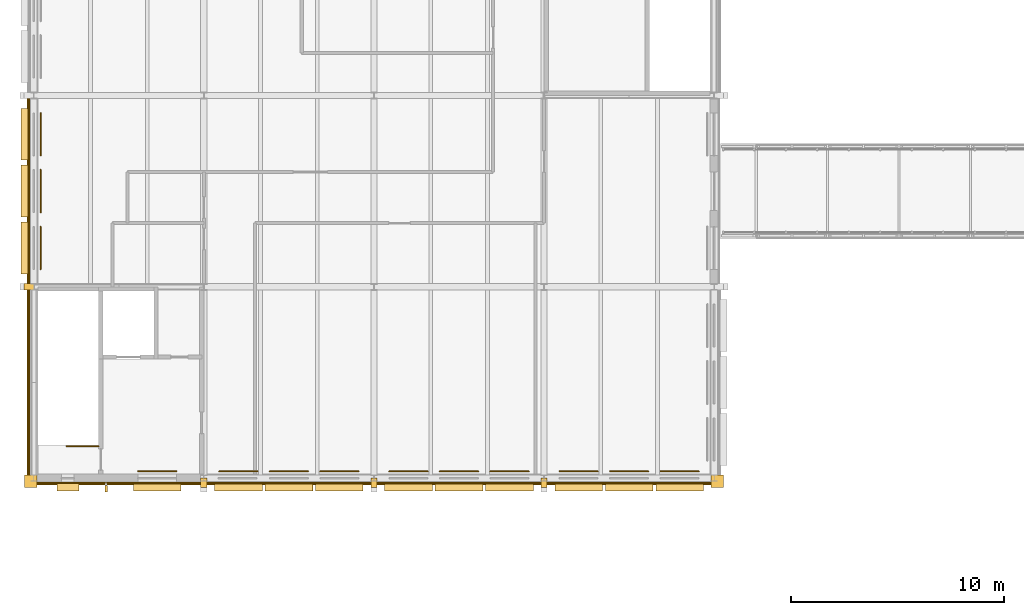
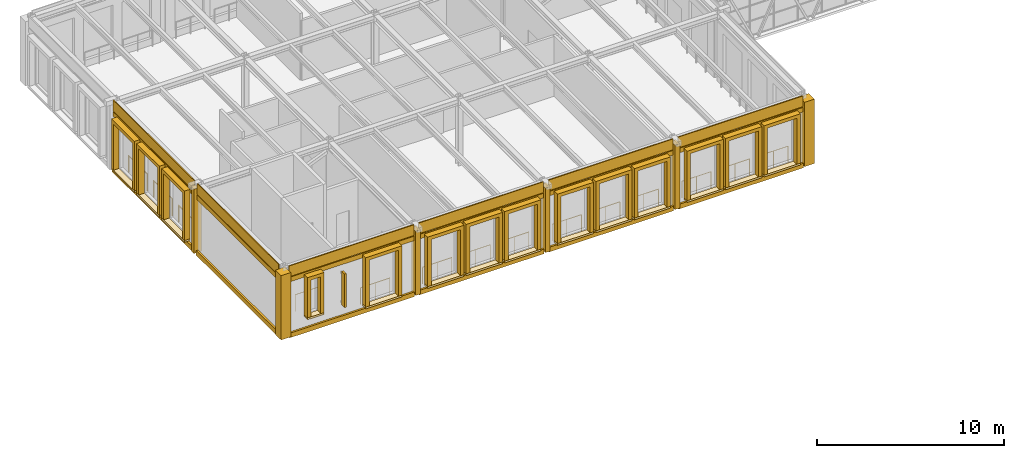
# One storey, part 135 of 149: 52 coverings, 14 railings, 1 shading device.
"""IFC4 building model written with IfcOpenShell, lengths in metres."""

from ifc_helpers import new_model, si_unit, direction, frame, origin, origin_2d, place, context, subcontext, project, spatial, polyline, rectangle, circle, outline, extrude, material, layer, layer_set, type_object, element, save


model = new_model("IFC4")

# Units and contexts
model_context = context("Model", 3, precision=1e-05, world=origin(), true_north=direction((0.0, 1.0)))
body_context = subcontext(model_context, "Body", "Model", "MODEL_VIEW")
ifc_project = project(units=[si_unit("LENGTHUNIT", "METRE"), si_unit("AREAUNIT", "SQUARE_METRE"), si_unit("VOLUMEUNIT", "CUBIC_METRE"), si_unit("PLANEANGLEUNIT", "RADIAN"), si_unit("MASSUNIT", "GRAM", prefix="KILO")], contexts=[model_context])

# Site, building, storey
site_placement = place(None, origin())
site = spatial("IfcSite", under=ifc_project, at=site_placement, CompositionType="ELEMENT")
building_placement = place(site_placement, origin())
building = spatial("IfcBuilding", under=site, at=building_placement, Name="Kallimachos Central Library", CompositionType="ELEMENT")
storey_placement = place(building_placement, frame((0.0, 0.0, 9.89990234375)))
storey = spatial("IfcBuildingStorey", under=building, at=storey_placement, Name="L02", CompositionType="ELEMENT", Elevation=9.89990234375)

# Coverings
ifc_material_1 = material(Name="Pentelic marble window sill", Category="masonry")
ifc_layer_1 = layer(ifc_material_1, 0.35009765625)
ifc_layer_set_1 = layer_set([ifc_layer_1], Name="Attic window sill block 350")
covering_type_1 = type_object("IfcCoveringType", Name="Attic window sill block 350", PredefinedType="MOLDING", material=ifc_layer_set_1)
covering_1_placement = place(storey_placement, frame((7.60009765625, 86.56494140625, 0.880126953125), z_axis=(0.0, 0.0, 1.0), x_axis=(1.0, 0.0, 0.0)))
element("IfcCovering", 1, at=covering_1_placement, inside=storey, type_object=covering_type_1, Name="Attic window sill block", PredefinedType="MOLDING", context=body_context, shape_type="SweptSolid", body=[
    extrude(rectangle(XDim=1.0400390625, YDim=0.35009765625, at=origin_2d()), origin(), (0.0, 0.0, 1.0), 0.1201171875),
])
for number, where, z_axis, x_axis, name in (
    (2, (11.800048828125, 86.56494140625, 0.330078125), (0.0, 0.0, 1.0), (1.0, 0.0, 0.0), "Attic window sill block"),
    (3, (15.625, 86.56494140625, 0.330078125), (0.0, 0.0, 1.0), (1.0, 0.0, 0.0), "Attic window sill block"),
    (4, (18.0, 86.56494140625, 0.330078125), (0.0, 0.0, 1.0), (1.0, 0.0, 0.0), "Attic window sill block"),
    (5, (20.375, 86.56494140625, 0.330078125), (0.0, 0.0, 1.0), (1.0, 0.0, 0.0), "Attic window sill block"),
    (6, (23.625, 86.56494140625, 0.330078125), (0.0, 0.0, 1.0), (1.0, 0.0, 0.0), "Attic window sill block"),
    (7, (26.0, 86.56494140625, 0.330078125), (0.0, 0.0, 1.0), (1.0, 0.0, 0.0), "Attic window sill block"),
    (8, (28.375, 86.56494140625, 0.330078125), (0.0, 0.0, 1.0), (1.0, 0.0, 0.0), "Attic window sill block"),
    (9, (31.625, 86.56494140625, 0.330078125), (0.0, 0.0, 1.0), (1.0, 0.0, 0.0), "Attic window sill block"),
    (10, (34.0, 86.56494140625, 0.330078125), (0.0, 0.0, 1.0), (1.0, 0.0, 0.0), "Attic window sill block"),
    (11, (36.375, 86.56494140625, 0.330078125), (0.0, 0.0, 1.0), (1.0, 0.0, 0.0), "Attic window sill block"),
):
    element("IfcCovering", number, at=place(storey_placement, frame(where, z_axis=z_axis, x_axis=x_axis)), inside=storey, type_object=covering_type_1, Name=name, PredefinedType="MOLDING", context=body_context, shape_type="SweptSolid", body=[
        extrude(rectangle(XDim=2.239990234375, YDim=0.35009765625, at=origin_2d()), origin(), (0.0, 0.0, 1.0), 0.1201171875),
    ])
for number, where, z_axis, x_axis, name in (
    (12, (5.56494140625, 97.824951171875, 0.330078125), (0.0, 0.0, 1.0), (1.0, 0.0, 0.0), "Attic window sill block"),
    (13, (5.56494140625, 100.5, 0.330078125), (0.0, 0.0, 1.0), (1.0, 0.0, 0.0), "Attic window sill block"),
    (14, (5.56494140625, 103.175048828125, 0.330078125), (0.0, 0.0, 1.0), (1.0, 0.0, 0.0), "Attic window sill block"),
):
    element("IfcCovering", number, at=place(storey_placement, frame(where, z_axis=z_axis, x_axis=x_axis)), inside=storey, type_object=covering_type_1, Name=name, PredefinedType="MOLDING", context=body_context, shape_type="SweptSolid", body=[
        extrude(rectangle(XDim=0.35009765625, YDim=2.43994140625, at=origin_2d()), origin(), (0.0, 0.0, 1.0), 0.1201171875),
    ])
ifc_material_2 = material(Name="Pentelic marble window surround", Category="masonry")
ifc_layer_2 = layer(ifc_material_2, 0.35009765625)
ifc_layer_set_2 = layer_set([ifc_layer_2], Name="Attic window surround 350")
covering_type_2 = type_object("IfcCoveringType", Name="Attic window surround 350", PredefinedType="MOLDING", material=ifc_layer_set_2)
covering_2_placement = place(storey_placement, frame((7.300048828125, 86.389892578125, 1.0), z_axis=(0.0, -1.0, 0.0), x_axis=(0.0, 0.0, 1.0)))
element("IfcCovering", 15, at=covering_2_placement, inside=storey, type_object=covering_type_2, Name="Attic window surround -WIN-L02-001", PredefinedType="MOLDING", context=body_context, shape_type="SweptSolid", body=[
    extrude(outline(polyline([(0.0, 0.0), (2.400146484375, 0.0), (2.400146484375, -0.599853515625), (0.0, -0.599853515625), (0.0, -0.820068359375), (2.6201171875, -0.820068359375), (2.6201171875, 0.219970703125), (0.0, 0.219970703125), (0.0, 0.0)])), origin(), (0.0, 0.0, -1.0), 0.35009765625),
])
covering_3_placement = place(storey_placement, frame((10.89990234375, 86.389892578125, 0.4501953125), z_axis=(0.0, -1.0, 0.0), x_axis=(0.0, 0.0, 1.0)))
element("IfcCovering", 16, at=covering_3_placement, inside=storey, type_object=covering_type_2, Name="Attic window surround -WIN-L02-002", PredefinedType="MOLDING", context=body_context, shape_type="SweptSolid", body=[
    extrude(outline(polyline([(0.0, 0.0), (3.0, 0.0), (3.0, -1.800048828125), (0.0, -1.800048828125), (0.0, -2.02001953125), (3.219970703125, -2.02001953125), (3.219970703125, 0.219970703125), (0.0, 0.219970703125), (0.0, 0.0)])), origin(), (0.0, 0.0, -1.0), 0.35009765625),
])
for number, where, z_axis, x_axis, name in (
    (17, (14.72509765625, 86.389892578125, 0.4501953125), (0.0, -1.0, 0.0), (0.0, 0.0, 1.0), "Attic window surround -WIN-L02-003"),
    (18, (17.10009765625, 86.389892578125, 0.4501953125), (0.0, -1.0, 0.0), (0.0, 0.0, 1.0), "Attic window surround -WIN-L02-004"),
    (19, (19.47509765625, 86.389892578125, 0.4501953125), (0.0, -1.0, 0.0), (0.0, 0.0, 1.0), "Attic window surround -WIN-L02-005"),
    (20, (22.72509765625, 86.389892578125, 0.4501953125), (0.0, -1.0, 0.0), (0.0, 0.0, 1.0), "Attic window surround -WIN-L02-006"),
    (21, (25.10009765625, 86.389892578125, 0.4501953125), (0.0, -1.0, 0.0), (0.0, 0.0, 1.0), "Attic window surround -WIN-L02-007"),
    (22, (27.47509765625, 86.389892578125, 0.4501953125), (0.0, -1.0, 0.0), (0.0, 0.0, 1.0), "Attic window surround -WIN-L02-008"),
    (23, (30.72509765625, 86.389892578125, 0.4501953125), (0.0, -1.0, 0.0), (0.0, 0.0, 1.0), "Attic window surround -WIN-L02-009"),
    (24, (33.10009765625, 86.389892578125, 0.4501953125), (0.0, -1.0, 0.0), (0.0, 0.0, 1.0), "Attic window surround -WIN-L02-010"),
    (25, (35.47509765625, 86.389892578125, 0.4501953125), (0.0, -1.0, 0.0), (0.0, 0.0, 1.0), "Attic window surround -WIN-L02-011"),
):
    element("IfcCovering", number, at=place(storey_placement, frame(where, z_axis=z_axis, x_axis=x_axis)), inside=storey, type_object=covering_type_2, Name=name, PredefinedType="MOLDING", context=body_context, shape_type="SweptSolid", body=[
        extrude(outline(polyline([(0.0, 0.0), (3.0, 0.0), (3.0, -1.7998046875), (0.0, -1.7998046875), (0.0, -2.02001953125), (3.219970703125, -2.02001953125), (3.219970703125, 0.22021484375), (0.0, 0.22021484375), (0.0, 0.0)])), origin(), (0.0, 0.0, -1.0), 0.35009765625),
    ])
for number, where, z_axis, x_axis, name in (
    (26, (5.389892578125, 96.60498046875, 0.4501953125), (-1.0, 0.0, 0.0), (0.0, 0.0, 1.0), "Attic window surround -WIN-L02-023"),
    (27, (5.389892578125, 99.280029296875, 0.4501953125), (-1.0, 0.0, 0.0), (0.0, 0.0, 1.0), "Attic window surround -WIN-L02-024"),
    (28, (5.389892578125, 101.955078125, 0.4501953125), (-1.0, 0.0, 0.0), (0.0, 0.0, 1.0), "Attic window surround -WIN-L02-025"),
):
    element("IfcCovering", number, at=place(storey_placement, frame(where, z_axis=z_axis, x_axis=x_axis)), inside=storey, type_object=covering_type_2, Name=name, PredefinedType="MOLDING", context=body_context, shape_type="SweptSolid", body=[
        extrude(outline(polyline([(0.0, 0.0), (3.219970703125, 0.0), (3.219970703125, 2.43994140625), (0.0, 2.43994140625), (0.0, 2.219970703125), (3.0, 2.219970703125), (3.0, 0.219970703125), (0.0, 0.219970703125), (0.0, 0.0)])), origin(), (0.0, 0.0, -1.0), 0.35009765625),
    ])
ifc_material_3 = material(Name="Polychrome glazed ceramic tile")
ifc_layer_3 = layer(ifc_material_3, 0.0400390625)
ifc_layer_set_3 = layer_set([ifc_layer_3], Name="Ceramic frieze band")
covering_type_3 = type_object("IfcCoveringType", Name="Ceramic frieze band", PredefinedType="CLADDING", material=ifc_layer_set_3)
for number, where, z_axis, x_axis, name in (
    (29, (10.0, 86.77001953125, 3.80029296875), (0.0, 0.0, 1.0), (1.0, 0.0, 0.0), "frieze S6"),
    (30, (18.0, 86.77001953125, 3.80029296875), (0.0, 0.0, 1.0), (1.0, 0.0, 0.0), "frieze S14"),
    (31, (26.0, 86.77001953125, 3.80029296875), (0.0, 0.0, 1.0), (1.0, 0.0, 0.0), "frieze S22"),
    (32, (34.0, 86.77001953125, 3.80029296875), (0.0, 0.0, 1.0), (1.0, 0.0, 0.0), "frieze S30"),
):
    element("IfcCovering", number, at=place(storey_placement, frame(where, z_axis=z_axis, x_axis=x_axis)), inside=storey, type_object=covering_type_3, Name=name, PredefinedType="CLADDING", context=body_context, shape_type="SweptSolid", body=[
        extrude(rectangle(XDim=7.699951171875, YDim=0.06005859375, at=origin_2d()), origin(), (0.0, 0.0, 1.0), 0.699951171875),
    ])
for number, where, z_axis, x_axis, name in (
    (33, (5.77001953125, 91.5, 3.80029296875), (0.0, 0.0, 1.0), (1.0, 0.0, 0.0), "frieze W87"),
    (34, (5.77001953125, 100.5, 3.80029296875), (0.0, 0.0, 1.0), (1.0, 0.0, 0.0), "frieze W96"),
):
    element("IfcCovering", number, at=place(storey_placement, frame(where, z_axis=z_axis, x_axis=x_axis)), inside=storey, type_object=covering_type_3, Name=name, PredefinedType="CLADDING", context=body_context, shape_type="SweptSolid", body=[
        extrude(rectangle(XDim=0.06005859375, YDim=8.699951171875, at=origin_2d()), origin(), (0.0, 0.0, 1.0), 0.699951171875),
    ])

# Railing
ifc_material_4 = material(Name="Steel S355J2", Category="steel")
railing_type_1 = type_object("IfcRailingType", Name="Stair guard 1100", PredefinedType="GUARDRAIL", material=ifc_material_4)
railing_1_placement = place(storey_placement, frame((9.050048828125, 88.5, 0.0)))
element("IfcRailing", 35, at=railing_1_placement, inside=storey, type_object=railing_type_1, Name="L02 ST5 top well guard 1", PredefinedType="GUARDRAIL", context=body_context, shape_type="SweptSolid", body=[
    extrude(circle(Radius=0.02392578125, at=origin_2d()), frame((0.0, 0.0, 1.076171875), z_axis=(-1.0, 0.0, 0.0), x_axis=(0.0, -1.0, 0.0)), (0.0, 0.0, 1.0), 1.5),
    extrude(circle(Radius=0.02099609375, at=origin_2d()), origin(), (0.0, 0.0, 1.0), 1.052001953125),
    extrude(circle(Radius=0.02099609375, at=origin_2d()), frame((-0.75, 0.0, 0.0)), (0.0, 0.0, 1.0), 1.052001953125),
    extrude(circle(Radius=0.02099609375, at=origin_2d()), frame((-1.5, 0.0, 0.0)), (0.0, 0.0, 1.0), 1.052001953125),
])

# Coverings
ifc_material_5 = material(Name="Pentelic marble attic moulding", Category="masonry")
ifc_layer_4 = layer(ifc_material_5, 0.1201171875)
ifc_layer_set_4 = layer_set([ifc_layer_4], Name="Stone attic moulding 300")
covering_type_4 = type_object("IfcCoveringType", Name="Stone attic moulding 300", PredefinedType="MOLDING", material=ifc_layer_set_4)
for number, where, z_axis, x_axis, name in (
    (36, (10.0, 86.739990234375, -0.14990234375), (0.0, 0.0, 1.0), (1.0, 0.0, 0.0), "Stone attic moulding 300 -L02-005"),
    (37, (18.0, 86.739990234375, -0.14990234375), (0.0, 0.0, 1.0), (1.0, 0.0, 0.0), "Stone attic moulding 300 -L02-006"),
    (38, (26.0, 86.739990234375, -0.14990234375), (0.0, 0.0, 1.0), (1.0, 0.0, 0.0), "Stone attic moulding 300 -L02-007"),
    (39, (34.0, 86.739990234375, -0.14990234375), (0.0, 0.0, 1.0), (1.0, 0.0, 0.0), "Stone attic moulding 300 -L02-008"),
):
    element("IfcCovering", number, at=place(storey_placement, frame(where, z_axis=z_axis, x_axis=x_axis)), inside=storey, type_object=covering_type_4, Name=name, PredefinedType="MOLDING", context=body_context, shape_type="SweptSolid", body=[
        extrude(rectangle(XDim=7.699951171875, YDim=0.1201171875, at=origin_2d()), origin(), (0.0, 0.0, 1.0), 0.300048828125),
    ])
for number, where, z_axis, x_axis, name in (
    (40, (5.739990234375, 91.5, -0.14990234375), (0.0, 0.0, 1.0), (1.0, 0.0, 0.0), "Stone attic moulding 300 -L02-013"),
    (41, (5.739990234375, 100.5, -0.14990234375), (0.0, 0.0, 1.0), (1.0, 0.0, 0.0), "Stone attic moulding 300 -L02-014"),
):
    element("IfcCovering", number, at=place(storey_placement, frame(where, z_axis=z_axis, x_axis=x_axis)), inside=storey, type_object=covering_type_4, Name=name, PredefinedType="MOLDING", context=body_context, shape_type="SweptSolid", body=[
        extrude(rectangle(XDim=0.1201171875, YDim=8.699951171875, at=origin_2d()), origin(), (0.0, 0.0, 1.0), 0.300048828125),
    ])
ifc_material_6 = material(Name="Pentelic marble pilaster", Category="masonry")
ifc_layer_5 = layer(ifc_material_6, 0.25)
ifc_layer_set_5 = layer_set([ifc_layer_5], Name="Stone pilaster 250")
covering_type_5 = type_object("IfcCoveringType", Name="Stone pilaster 250", PredefinedType="CLADDING", material=ifc_layer_set_5)
for number, where, z_axis, x_axis, name in (
    (42, (14.0, 86.77490234375, 0.0), (0.0, 0.0, 1.0), (1.0, 0.0, 0.0), "Stone pilaster 250 -L02-005"),
    (43, (22.0, 86.77490234375, 0.0), (0.0, 0.0, 1.0), (1.0, 0.0, 0.0), "Stone pilaster 250 -L02-006"),
    (44, (30.0, 86.77490234375, 0.0), (0.0, 0.0, 1.0), (1.0, 0.0, 0.0), "Stone pilaster 250 -L02-007"),
):
    element("IfcCovering", number, at=place(storey_placement, frame(where, z_axis=z_axis, x_axis=x_axis)), inside=storey, type_object=covering_type_5, Name=name, PredefinedType="CLADDING", context=body_context, shape_type="SweptSolid", body=[
        extrude(rectangle(XDim=0.300048828125, YDim=0.449951171875, at=origin_2d()), origin(), (0.0, 0.0, 1.0), 4.199951171875),
    ])
covering_4_placement = place(storey_placement, frame((5.77490234375, 96.0, 0.0), z_axis=(0.0, 0.0, 1.0), x_axis=(1.0, 0.0, 0.0)))
element("IfcCovering", 45, at=covering_4_placement, inside=storey, type_object=covering_type_5, Name="Stone pilaster 250 -L02-013", PredefinedType="CLADDING", context=body_context, shape_type="SweptSolid", body=[
    extrude(rectangle(XDim=0.449951171875, YDim=0.300048828125, at=origin_2d()), origin(), (0.0, 0.0, 1.0), 4.199951171875),
])
for number, where, z_axis, x_axis, name in (
    (46, (5.85009765625, 86.85009765625, 0.0), (0.0, 0.0, 1.0), (1.0, 0.0, 0.0), "Stone pilaster 250 corner"),
    (47, (38.14990234375, 86.85009765625, 0.0), (0.0, 0.0, 1.0), (1.0, 0.0, 0.0), "Stone pilaster 250 corner"),
):
    element("IfcCovering", number, at=place(storey_placement, frame(where, z_axis=z_axis, x_axis=x_axis)), inside=storey, type_object=covering_type_5, Name=name, PredefinedType="CLADDING", context=body_context, shape_type="SweptSolid", body=[
        extrude(rectangle(XDim=0.60009765625, YDim=0.60009765625, at=origin_2d()), origin(), (0.0, 0.0, 1.0), 4.199951171875),
    ])

# Shading device
ifc_material_7 = material(Name="Pentelic marble fin", Category="masonry")
ifc_layer_6 = layer(ifc_material_7, 0.1201171875)
ifc_layer_set_6 = layer_set([ifc_layer_6], Name="Stone sun-shade fin 120")
shading_device_type = type_object("IfcShadingDeviceType", Name="Stone sun-shade fin 120", PredefinedType="USERDEFINED", material=ifc_layer_set_6)
shading_device_placement = place(storey_placement, frame((9.39990234375, 86.5, 0.89990234375), z_axis=(0.0, 0.0, 1.0), x_axis=(1.0, 0.0, 0.0)))
element("IfcShadingDevice", 48, at=shading_device_placement, inside=storey, type_object=shading_device_type, Name="Stone sun-shade fin 120 -L02-005", ObjectType="FIN", PredefinedType="USERDEFINED", context=body_context, shape_type="SweptSolid", body=[
    extrude(rectangle(XDim=0.1201171875, YDim=0.300048828125, at=origin_2d()), origin(), (0.0, 0.0, 1.0), 2.199951171875),
])

# Railings
ifc_material_8 = material(Name="Wrought iron")
railing_type_2 = type_object("IfcRailingType", Name="Window guard 1100", PredefinedType="GUARDRAIL", material=ifc_material_8)
railing_2_placement = place(storey_placement, frame((10.89990234375, 87.320068359375, 0.0)))
element("IfcRailing", 49, at=railing_2_placement, inside=storey, type_object=railing_type_2, Name="Window guard", PredefinedType="GUARDRAIL", context=body_context, shape_type="SweptSolid", body=[
    extrude(circle(Radius=0.02392578125, at=origin_2d()), frame((0.0, 0.0, 1.076171875), z_axis=(1.0, 0.0, 0.0), x_axis=(0.0, 1.0, 0.0)), (0.0, 0.0, 1.0), 1.800048828125),
    extrude(circle(Radius=0.02099609375, at=origin_2d()), origin(), (0.0, 0.0, 1.0), 1.052001953125),
    extrude(circle(Radius=0.02099609375, at=origin_2d()), frame((0.89990234375, 0.0, 0.0)), (0.0, 0.0, 1.0), 1.052001953125),
    extrude(circle(Radius=0.02099609375, at=origin_2d()), frame((1.800048828125, 0.0, 0.0)), (0.0, 0.0, 1.0), 1.052001953125),
])
for number, where, name in (
    (50, (14.72509765625, 87.320068359375, 0.0), "Window guard"),
    (51, (17.10009765625, 87.320068359375, 0.0), "Window guard"),
    (52, (19.47509765625, 87.320068359375, 0.0), "Window guard"),
    (53, (22.72509765625, 87.320068359375, 0.0), "Window guard"),
    (54, (25.10009765625, 87.320068359375, 0.0), "Window guard"),
    (55, (27.47509765625, 87.320068359375, 0.0), "Window guard"),
    (56, (30.72509765625, 87.320068359375, 0.0), "Window guard"),
    (57, (33.10009765625, 87.320068359375, 0.0), "Window guard"),
    (58, (35.47509765625, 87.320068359375, 0.0), "Window guard"),
):
    element("IfcRailing", number, at=place(storey_placement, frame(where)), inside=storey, type_object=railing_type_2, Name=name, PredefinedType="GUARDRAIL", context=body_context, shape_type="SweptSolid", body=[
        extrude(circle(Radius=0.02392578125, at=origin_2d()), frame((0.0, 0.0, 1.076171875), z_axis=(1.0, 0.0, 0.0), x_axis=(0.0, 1.0, 0.0)), (0.0, 0.0, 1.0), 1.7998046875),
        extrude(circle(Radius=0.02099609375, at=origin_2d()), origin(), (0.0, 0.0, 1.0), 1.052001953125),
        extrude(circle(Radius=0.02099609375, at=origin_2d()), frame((0.89990234375, 0.0, 0.0)), (0.0, 0.0, 1.0), 1.052001953125),
        extrude(circle(Radius=0.02099609375, at=origin_2d()), frame((1.7998046875, 0.0, 0.0)), (0.0, 0.0, 1.0), 1.052001953125),
    ])
for number, where, name in (
    (59, (6.320068359375, 96.824951171875, 0.0), "Window guard"),
    (60, (6.320068359375, 99.5, 0.0), "Window guard"),
    (61, (6.320068359375, 102.175048828125, 0.0), "Window guard"),
):
    element("IfcRailing", number, at=place(storey_placement, frame(where)), inside=storey, type_object=railing_type_2, Name=name, PredefinedType="GUARDRAIL", context=body_context, shape_type="SweptSolid", body=[
        extrude(circle(Radius=0.02392578125, at=origin_2d()), frame((0.0, 0.0, 1.076171875), z_axis=(0.0, 1.0, 0.0), x_axis=(-1.0, 0.0, 0.0)), (0.0, 0.0, 1.0), 2.0),
        extrude(circle(Radius=0.02099609375, at=origin_2d()), origin(), (0.0, 0.0, 1.0), 1.052001953125),
        extrude(circle(Radius=0.02099609375, at=origin_2d()), frame((0.0, 1.0, 0.0)), (0.0, 0.0, 1.0), 1.052001953125),
        extrude(circle(Radius=0.02099609375, at=origin_2d()), frame((0.0, 2.0, 0.0)), (0.0, 0.0, 1.0), 1.052001953125),
    ])

# Coverings
ifc_material_9 = material(Name="Pentelic marble", Category="masonry")
ifc_layer_7 = layer(ifc_material_9, 0.06005859375)
ifc_layer_set_7 = layer_set([ifc_layer_7], Name="Window head band")
covering_type_6 = type_object("IfcCoveringType", Name="Window head band", PredefinedType="MOLDING", material=ifc_layer_set_7)
for number, where, z_axis, x_axis, name in (
    (62, (10.0, 86.77001953125, 3.4501953125), (0.0, 0.0, 1.0), (1.0, 0.0, 0.0), "head band S6"),
    (63, (18.0, 86.77001953125, 3.4501953125), (0.0, 0.0, 1.0), (1.0, 0.0, 0.0), "head band S14"),
    (64, (26.0, 86.77001953125, 3.4501953125), (0.0, 0.0, 1.0), (1.0, 0.0, 0.0), "head band S22"),
    (65, (34.0, 86.77001953125, 3.4501953125), (0.0, 0.0, 1.0), (1.0, 0.0, 0.0), "head band S30"),
):
    element("IfcCovering", number, at=place(storey_placement, frame(where, z_axis=z_axis, x_axis=x_axis)), inside=storey, type_object=covering_type_6, Name=name, PredefinedType="MOLDING", context=body_context, shape_type="SweptSolid", body=[
        extrude(rectangle(XDim=7.699951171875, YDim=0.06005859375, at=origin_2d()), origin(), (0.0, 0.0, 1.0), 0.300048828125),
    ])
for number, where, z_axis, x_axis, name in (
    (66, (5.77001953125, 91.5, 3.4501953125), (0.0, 0.0, 1.0), (1.0, 0.0, 0.0), "head band W87"),
    (67, (5.77001953125, 100.5, 3.4501953125), (0.0, 0.0, 1.0), (1.0, 0.0, 0.0), "head band W96"),
):
    element("IfcCovering", number, at=place(storey_placement, frame(where, z_axis=z_axis, x_axis=x_axis)), inside=storey, type_object=covering_type_6, Name=name, PredefinedType="MOLDING", context=body_context, shape_type="SweptSolid", body=[
        extrude(rectangle(XDim=0.06005859375, YDim=8.699951171875, at=origin_2d()), origin(), (0.0, 0.0, 1.0), 0.300048828125),
    ])

save(model, "model.ifc")
